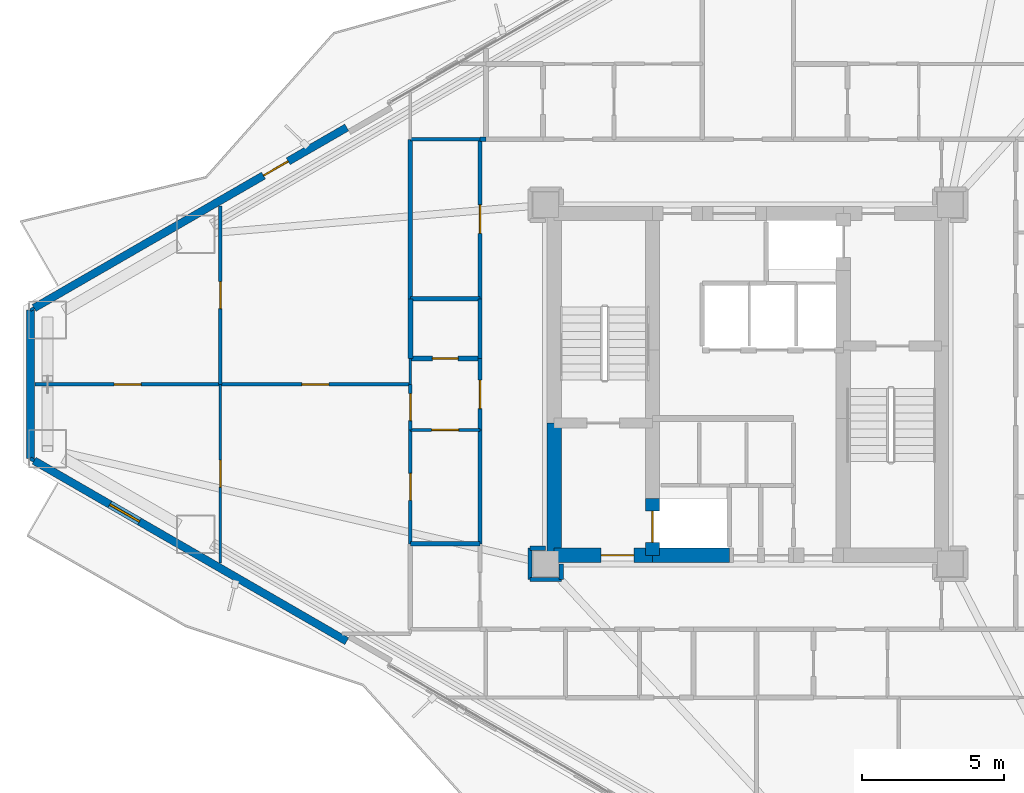
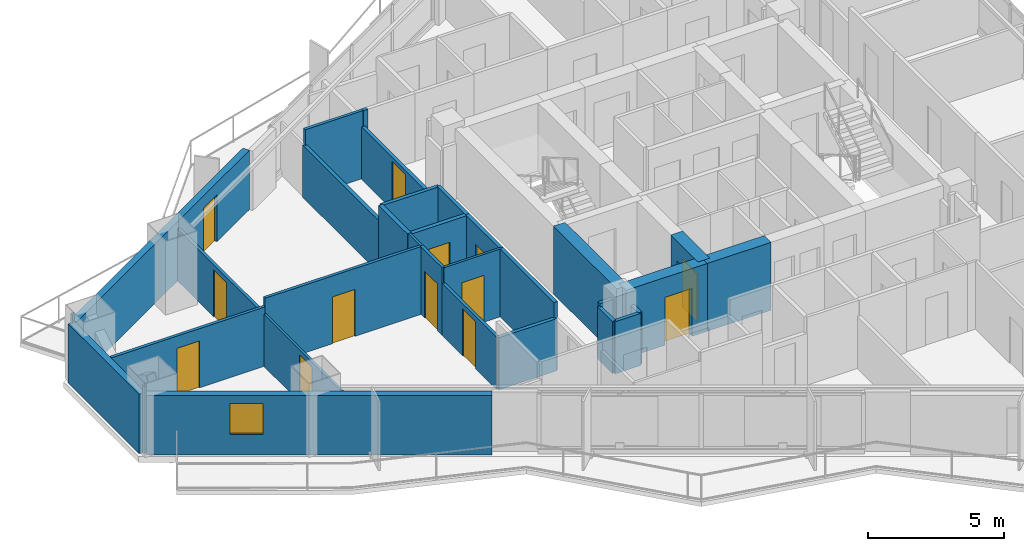
# One storey, part 13 of 19: 32 walls, 13 doors, 1 window, 14 openings.
"""IFC4 building model written with IfcOpenShell, lengths in metres."""

from ifc_helpers import new_model, si_unit, direction, frame, frame_2d, origin, place, context, subcontext, project, spatial, rectangle, extrude, material, layer, layer_set, type_object, element, fill, save


model = new_model("IFC4")

# Units and contexts
model_context = context("Model", 3, precision=1e-05, world=origin(), true_north=direction((0.0, 1.0)))
body_context = subcontext(model_context, "Body", "Model", "MODEL_VIEW")
ifc_project = project(units=[si_unit("LENGTHUNIT", "METRE"), si_unit("AREAUNIT", "SQUARE_METRE"), si_unit("VOLUMEUNIT", "CUBIC_METRE"), si_unit("PLANEANGLEUNIT", "RADIAN"), si_unit("MASSUNIT", "GRAM", prefix="KILO")], contexts=[model_context])

# Site, building, storey
site_placement = place(None, origin())
site = spatial("IfcSite", under=ifc_project, at=site_placement, CompositionType="ELEMENT")
building_placement = place(site_placement, origin())
building = spatial("IfcBuilding", under=site, at=building_placement, Name="Mersakhor Tower and Convention Hall", CompositionType="ELEMENT")
storey_placement = place(building_placement, frame((0.0, 0.0, 42.300048828125)))
storey = spatial("IfcBuildingStorey", under=building, at=storey_placement, Name="L11", CompositionType="ELEMENT", Elevation=42.300048828125)

# Wall
ifc_material_1 = material(Name="Precast concrete C45/55", Category="concrete")
ifc_layer_1 = layer(ifc_material_1, 0.27490234375)
ifc_layer_set_1 = layer_set([ifc_layer_1], Name="Precast concrete C45/55")
wall_type_1 = type_object("IfcWallType", Name="WL-EXT-275", PredefinedType="SOLIDWALL", material=ifc_layer_set_1)
wall_1_placement = place(storey_placement, frame((3.81298828125, 24.144287109375, 0.0), z_axis=(0.0, 0.0, 1.0), x_axis=(0.0, 1.0, 0.0)))
element("IfcWall", 1, at=wall_1_placement, inside=storey, type_object=wall_type_1, Name="L11 Chamfer Braced Spandrel Wall C3", PredefinedType="SOLIDWALL", context=body_context, shape_type="SweptSolid", body=[
    extrude(rectangle(XDim=5.21142578125, YDim=0.27490234375, at=frame_2d((2.605712890625, 0.0))), origin(), (0.0, 0.0, 1.0), 2.659912109375),
])

# Wall, opening, door
wall_2_placement = place(storey_placement, frame((3.943115234375, 29.4306640625, 0.0), z_axis=(0.0, 0.0, 1.0), x_axis=(0.866027105532, 0.499997052475, 0.0)))
wall_2 = element("IfcWall", 2, at=wall_2_placement, inside=storey, type_object=wall_type_1, Name="L11 Exterior Facade Wall F1-B1", PredefinedType="SOLIDWALL", context=body_context, shape_type="SweptSolid", body=[
    extrude(rectangle(XDim=12.6728515625, YDim=0.27490234375, at=frame_2d((6.33642578125, 0.0))), origin(), (0.0, 0.0, 1.0), 2.659912109375),
])
opening_1_placement = place(wall_2_placement, frame((9.298095703125, 0.0, 0.0)))
opening_1 = element("IfcOpeningElement", 3, at=opening_1_placement, cuts=wall_2, Name="Opening BD-01", PredefinedType="OPENING", context=body_context, shape_type="SweptSolid", body=[
    extrude(rectangle(XDim=1.0, YDim=2.10009765625, at=frame_2d((0.5, 1.050048828125))), frame((0.0, 0.1474609375, 0.0), z_axis=(0.0, -1.0, 0.0), x_axis=(1.0, 0.0, 0.0)), (0.0, 0.0, 1.0), 0.294921875),
])
ifc_material_2 = material(Name="Thermally broken dark aluminium and safety glass", Category="aluminium")
door_type_1 = type_object("IfcDoorType", Name="DR-BAL-100x210", OperationType="NOTDEFINED", PredefinedType="DOOR", material=ifc_material_2)
door_1_placement = place(opening_1_placement, origin())
door_1 = element("IfcDoor", 4, at=door_1_placement, inside=storey, type_object=door_type_1, Name="L11 Balcony Terrace Door F1-B1", OperationType="SINGLE_SWING_LEFT", OverallHeight=2.10009765625, OverallWidth=1.0, PredefinedType="DOOR", context=body_context, shape_type="SweptSolid", body=[
    extrude(rectangle(XDim=1.0, YDim=2.10009765625, at=frame_2d((0.5, 1.050048828125))), frame((0.0, 0.02490234375, 0.0), z_axis=(0.0, -1.0, 0.0), x_axis=(1.0, 0.0, 0.0)), (0.0, 0.0, 1.0), 0.050048828125),
])
fill(opening_1, door_1)

# Wall, opening, window
wall_3_placement = place(storey_placement, frame((14.918212890625, 17.73291015625, 0.0), z_axis=(0.0, 0.0, 1.0), x_axis=(-0.866027105532, 0.499997052475, 0.0)))
wall_3 = element("IfcWall", 5, at=wall_3_placement, inside=storey, type_object=wall_type_1, Name="L11 Exterior Facade Wall F3-B3", PredefinedType="SOLIDWALL", context=body_context, shape_type="SweptSolid", body=[
    extrude(rectangle(XDim=12.6728515625, YDim=0.27490234375, at=frame_2d((6.33642578125, 0.0))), origin(), (0.0, 0.0, 1.0), 2.659912109375),
])
opening_2_placement = place(wall_3_placement, frame((8.402099609375, 0.0, 0.89990234375)))
opening_2 = element("IfcOpeningElement", 6, at=opening_2_placement, cuts=wall_3, Name="Opening W-01", PredefinedType="OPENING", context=body_context, shape_type="SweptSolid", body=[
    extrude(rectangle(XDim=1.199951171875, YDim=1.39990234375, at=frame_2d((0.60009765625, 0.699951171875))), frame((0.0, 0.1474609375, 0.0), z_axis=(0.0, -1.0, 0.0), x_axis=(1.0, 0.0, 0.0)), (0.0, 0.0, 1.0), 0.294921875),
])
ifc_material_3 = material(Name="Dark solar low-E glazed aluminium window", Category="aluminium")
window_type = type_object("IfcWindowType", Name="WN-RES-120x150", PartitioningType="SINGLE_PANEL", PredefinedType="WINDOW", material=ifc_material_3)
window_placement = place(opening_2_placement, origin())
window = element("IfcWindow", 7, at=window_placement, inside=storey, type_object=window_type, Name="L11 Bedroom Facade Window F3-B3-1", OverallHeight=1.39990234375, OverallWidth=1.199951171875, PartitioningType="SINGLE_PANEL", PredefinedType="WINDOW", context=body_context, shape_type="SweptSolid", body=[
    extrude(rectangle(XDim=1.199951171875, YDim=1.39990234375, at=frame_2d((0.60009765625, 0.699951171875))), frame((0.0, 0.030029296875, 0.0), z_axis=(0.0, -1.0, 0.0), x_axis=(1.0, 0.0, 0.0)), (0.0, 0.0, 1.0), 0.06005859375),
])
fill(opening_2, window)

# Wall, opening, door
ifc_material_4 = material(Name="Moisture-resistant acoustic drywall studwork", Category="other")
ifc_layer_2 = layer(ifc_material_4, 0.175048828125)
ifc_layer_set_2 = layer_set([ifc_layer_2], Name="Moisture-resistant acoustic drywall studwork")
wall_type_2 = type_object("IfcWallType", Name="WL-PLM-175", PredefinedType="PLUMBINGWALL", material=ifc_layer_set_2)
wall_4_placement = place(storey_placement, frame((17.14990234375, 27.64990234375, 0.0), z_axis=(0.0, 0.0, 1.0), x_axis=(1.0, 0.0, 0.0)))
wall_4 = element("IfcWall", 8, at=wall_4_placement, inside=storey, type_object=wall_type_2, Name="L11 Interior Partition Wall P-077", PredefinedType="PLUMBINGWALL", context=body_context, shape_type="SweptSolid", body=[
    extrude(rectangle(XDim=2.4501953125, YDim=0.175048828125, at=frame_2d((1.22509765625, 0.0))), origin(), (0.0, 0.0, 1.0), 3.0400390625),
])
opening_3_placement = place(wall_4_placement, frame((0.77490234375, 0.0, 0.0)))
opening_3 = element("IfcOpeningElement", 9, at=opening_3_placement, cuts=wall_4, Name="Opening WD-01", PredefinedType="OPENING", context=body_context, shape_type="SweptSolid", body=[
    extrude(rectangle(XDim=0.89990234375, YDim=2.10009765625, at=frame_2d((0.449951171875, 1.050048828125))), frame((0.0, 0.097412109375, 0.0), z_axis=(0.0, -1.0, 0.0), x_axis=(1.0, 0.0, 0.0)), (0.0, 0.0, 1.0), 0.195068359375),
])
ifc_material_5 = material(Name="Solid-core hardwood leaf in painted steel frame", Category="steel")
door_type_2 = type_object("IfcDoorType", Name="DR-INT-WET-090x210", OperationType="NOTDEFINED", PredefinedType="DOOR", material=ifc_material_5)
door_2_placement = place(opening_3_placement, origin())
door_2 = element("IfcDoor", 10, at=door_2_placement, inside=storey, type_object=door_type_2, Name="L11 L11 Flat W5 Apartment Hall to L11 Flat W5 Bathroom Door", OperationType="SINGLE_SWING_LEFT", OverallHeight=2.10009765625, OverallWidth=0.89990234375, PredefinedType="DOOR", context=body_context, shape_type="SweptSolid", body=[
    extrude(rectangle(XDim=0.89990234375, YDim=2.10009765625, at=frame_2d((0.449951171875, 1.050048828125))), frame((0.0, 0.02490234375, 0.0), z_axis=(0.0, -1.0, 0.0), x_axis=(1.0, 0.0, 0.0)), (0.0, 0.0, 1.0), 0.050048828125),
])
fill(opening_3, door_2)

# Walls
wall_5_placement = place(storey_placement, frame((17.14990234375, 27.64990234375, 0.0), z_axis=(0.0, 0.0, 1.0), x_axis=(0.0, 1.0, 0.0)))
element("IfcWall", 11, at=wall_5_placement, inside=storey, type_object=wall_type_2, Name="L11 Interior Partition Wall P-095", PredefinedType="PLUMBINGWALL", context=body_context, shape_type="SweptSolid", body=[
    extrude(rectangle(XDim=2.10009765625, YDim=0.175048828125, at=frame_2d((1.050048828125, 0.0))), origin(), (0.0, 0.0, 1.0), 3.0400390625),
])
ifc_material_6 = material(Name="Lightweight gypsum partition", Category="other")
ifc_layer_3 = layer(ifc_material_6, 0.10009765625)
ifc_layer_set_3 = layer_set([ifc_layer_3], Name="Lightweight gypsum partition")
wall_type_3 = type_object("IfcWallType", Name="WL-PRT-100", PredefinedType="PARTITIONING", material=ifc_layer_set_3)
wall_6_placement = place(storey_placement, frame((17.14990234375, 26.75, 0.0), z_axis=(0.0, 0.0, 1.0), x_axis=(0.0, 1.0, 0.0)))
element("IfcWall", 12, at=wall_6_placement, inside=storey, type_object=wall_type_3, Name="L11 Interior Partition Wall P-076", PredefinedType="PARTITIONING", context=body_context, shape_type="SweptSolid", body=[
    extrude(rectangle(XDim=0.89990234375, YDim=0.10009765625, at=frame_2d((0.449951171875, 0.0))), origin(), (0.0, 0.0, 1.0), 3.0400390625),
])

# Wall, opening, door
wall_7_placement = place(storey_placement, frame((19.60009765625, 25.14990234375, 0.0), z_axis=(0.0, 0.0, 1.0), x_axis=(-1.0, 0.0, 0.0)))
wall_7 = element("IfcWall", 13, at=wall_7_placement, inside=storey, type_object=wall_type_3, Name="L11 Interior Partition Wall P-078", PredefinedType="PARTITIONING", context=body_context, shape_type="SweptSolid", body=[
    extrude(rectangle(XDim=2.4501953125, YDim=0.10009765625, at=frame_2d((1.22509765625, 0.0))), origin(), (0.0, 0.0, 1.0), 3.0400390625),
])
opening_4_placement = place(wall_7_placement, frame((0.75, 0.0, 0.0)))
opening_4 = element("IfcOpeningElement", 14, at=opening_4_placement, cuts=wall_7, Name="Opening RD-01", PredefinedType="OPENING", context=body_context, shape_type="SweptSolid", body=[
    extrude(rectangle(XDim=0.949951171875, YDim=2.10009765625, at=frame_2d((0.47509765625, 1.050048828125))), frame((0.0, 0.06005859375, 0.0), z_axis=(0.0, -1.0, 0.0), x_axis=(1.0, 0.0, 0.0)), (0.0, 0.0, 1.0), 0.1201171875),
])
ifc_material_7 = material(Name="Solid-core hardwood leaf in painted steel frame", Category="steel")
door_type_3 = type_object("IfcDoorType", Name="DR-INT-RM-095x210", OperationType="NOTDEFINED", PredefinedType="DOOR", material=ifc_material_7)
door_3_placement = place(opening_4_placement, origin())
door_3 = element("IfcDoor", 15, at=door_3_placement, inside=storey, type_object=door_type_3, Name="L11 L11 Flat W5 Apartment Hall to L11 Flat W5 Kitchen Door", OperationType="SINGLE_SWING_RIGHT", OverallHeight=2.10009765625, OverallWidth=0.949951171875, PredefinedType="DOOR", context=body_context, shape_type="SweptSolid", body=[
    extrude(rectangle(XDim=0.949951171875, YDim=2.10009765625, at=frame_2d((0.47509765625, 1.050048828125))), frame((0.0, 0.02490234375, 0.0), z_axis=(0.0, -1.0, 0.0), x_axis=(1.0, 0.0, 0.0)), (0.0, 0.0, 1.0), 0.050048828125),
])
fill(opening_4, door_3)

# Wall
wall_8_placement = place(storey_placement, frame((3.81298828125, 29.35595703125, 0.0), z_axis=(0.0, 0.0, 1.0), x_axis=(0.866131372301, 0.499816412211, 0.0)))
element("IfcWall", 16, at=wall_8_placement, inside=storey, type_object=wall_type_3, Name="L11 Interior Partition Wall P-124", PredefinedType="PARTITIONING", context=body_context, shape_type="SweptSolid", body=[
    extrude(rectangle(XDim=0.14990234375, YDim=0.10009765625, at=frame_2d((0.074951171875, 0.0))), origin(), (0.0, 0.0, 1.0), 3.0400390625),
])

# Wall, opening, door
wall_9_placement = place(storey_placement, frame((10.47998046875, 26.75, 0.0), z_axis=(0.0, 0.0, 1.0), x_axis=(0.0, -1.0, 0.0)))
wall_9 = element("IfcWall", 17, at=wall_9_placement, inside=storey, type_object=wall_type_3, Name="L11 Interior Partition Wall P-128", PredefinedType="PARTITIONING", context=body_context, shape_type="SweptSolid", body=[
    extrude(rectangle(XDim=6.268310546875, YDim=0.10009765625, at=frame_2d((3.13427734375, 0.0))), origin(), (0.0, 0.0, 1.0), 2.33740234375),
])
opening_5_placement = place(wall_9_placement, frame((2.6591796875, 0.0, 0.0)))
opening_5 = element("IfcOpeningElement", 18, at=opening_5_placement, cuts=wall_9, Name="Opening RD-01", PredefinedType="OPENING", context=body_context, shape_type="SweptSolid", body=[
    extrude(rectangle(XDim=0.949951171875, YDim=2.10009765625, at=frame_2d((0.47509765625, 1.050048828125))), frame((0.0, 0.06005859375, 0.0), z_axis=(0.0, -1.0, 0.0), x_axis=(1.0, 0.0, 0.0)), (0.0, 0.0, 1.0), 0.1201171875),
])
door_4_placement = place(opening_5_placement, origin())
door_4 = element("IfcDoor", 19, at=door_4_placement, inside=storey, type_object=door_type_3, Name="L11 L11 Flat W5 Master Bedroom to L11 Flat W5 Dining Room Door", OperationType="SINGLE_SWING_RIGHT", OverallHeight=2.10009765625, OverallWidth=0.949951171875, PredefinedType="DOOR", context=body_context, shape_type="SweptSolid", body=[
    extrude(rectangle(XDim=0.949951171875, YDim=2.10009765625, at=frame_2d((0.47509765625, 1.050048828125))), frame((0.0, 0.02490234375, 0.0), z_axis=(0.0, -1.0, 0.0), x_axis=(1.0, 0.0, 0.0)), (0.0, 0.0, 1.0), 0.050048828125),
])
fill(opening_5, door_4)

ifc_material_8 = material(Name="Gypsum board acoustic partition", Category="other")
ifc_layer_4 = layer(ifc_material_8, 0.125)
ifc_layer_set_4 = layer_set([ifc_layer_4], Name="Gypsum board acoustic partition")
wall_type_4 = type_object("IfcWallType", Name="WL-PRT-125", PredefinedType="PARTITIONING", material=ifc_layer_set_4)
wall_10_placement = place(storey_placement, frame((17.14990234375, 25.14990234375, 0.0), z_axis=(0.0, 0.0, 1.0), x_axis=(0.0, 1.0, 0.0)))
wall_10 = element("IfcWall", 20, at=wall_10_placement, inside=storey, type_object=wall_type_4, Name="L11 Interior Partition Wall P-075", PredefinedType="PARTITIONING", context=body_context, shape_type="SweptSolid", body=[
    extrude(rectangle(XDim=1.60009765625, YDim=0.125, at=frame_2d((0.800048828125, 0.0))), origin(), (0.0, 0.0, 1.0), 3.0400390625),
])
opening_6_placement = place(wall_10_placement, frame((0.324951171875, 0.0, 0.0)))
opening_6 = element("IfcOpeningElement", 21, at=opening_6_placement, cuts=wall_10, Name="Opening RD-01", PredefinedType="OPENING", context=body_context, shape_type="SweptSolid", body=[
    extrude(rectangle(XDim=0.949951171875, YDim=2.10009765625, at=frame_2d((0.47509765625, 1.050048828125))), frame((0.0, 0.072509765625, 0.0), z_axis=(0.0, -1.0, 0.0), x_axis=(1.0, 0.0, 0.0)), (0.0, 0.0, 1.0), 0.14501953125),
])
door_5_placement = place(opening_6_placement, origin())
door_5 = element("IfcDoor", 22, at=door_5_placement, inside=storey, type_object=door_type_3, Name="L11 L11 Flat W5 Apartment Hall to L11 Flat W5 Dining Room Door", OperationType="SINGLE_SWING_LEFT", OverallHeight=2.10009765625, OverallWidth=0.949951171875, PredefinedType="DOOR", context=body_context, shape_type="SweptSolid", body=[
    extrude(rectangle(XDim=0.949951171875, YDim=2.10009765625, at=frame_2d((0.47509765625, 1.050048828125))), frame((0.0, 0.02490234375, 0.0), z_axis=(0.0, -1.0, 0.0), x_axis=(1.0, 0.0, 0.0)), (0.0, 0.0, 1.0), 0.050048828125),
])
fill(opening_6, door_5)

wall_11_placement = place(storey_placement, frame((17.14990234375, 21.14990234375, 0.0), z_axis=(0.0, 0.0, 1.0), x_axis=(0.0, 1.0, 0.0)))
wall_11 = element("IfcWall", 23, at=wall_11_placement, inside=storey, type_object=wall_type_4, Name="L11 Interior Partition Wall P-097", PredefinedType="PARTITIONING", context=body_context, shape_type="SweptSolid", body=[
    extrude(rectangle(XDim=4.0, YDim=0.125, at=frame_2d((2.0, 0.0))), origin(), (0.0, 0.0, 1.0), 2.33740234375),
])
opening_7_placement = place(wall_11_placement, frame((1.52490234375, 0.0, 0.0)))
opening_7 = element("IfcOpeningElement", 24, at=opening_7_placement, cuts=wall_11, Name="Opening RD-01", PredefinedType="OPENING", context=body_context, shape_type="SweptSolid", body=[
    extrude(rectangle(XDim=0.949951171875, YDim=2.10009765625, at=frame_2d((0.47509765625, 1.050048828125))), frame((0.0, 0.072509765625, 0.0), z_axis=(0.0, -1.0, 0.0), x_axis=(1.0, 0.0, 0.0)), (0.0, 0.0, 1.0), 0.14501953125),
])
door_6_placement = place(opening_7_placement, origin())
door_6 = element("IfcDoor", 25, at=door_6_placement, inside=storey, type_object=door_type_3, Name="L11 L11 Flat W5 Kitchen to L11 Flat W5 Dining Room Door", OperationType="SINGLE_SWING_LEFT", OverallHeight=2.10009765625, OverallWidth=0.949951171875, PredefinedType="DOOR", context=body_context, shape_type="SweptSolid", body=[
    extrude(rectangle(XDim=0.949951171875, YDim=2.10009765625, at=frame_2d((0.47509765625, 1.050048828125))), frame((0.0, 0.02490234375, 0.0), z_axis=(0.0, -1.0, 0.0), x_axis=(1.0, 0.0, 0.0)), (0.0, 0.0, 1.0), 0.050048828125),
])
fill(opening_7, door_6)

# Wall
wall_12_placement = place(storey_placement, frame((17.14990234375, 35.35009765625, 0.0), z_axis=(0.0, 0.0, 1.0), x_axis=(1.0, 0.0, 0.0)))
element("IfcWall", 26, at=wall_12_placement, inside=storey, type_object=wall_type_4, Name="L11 Interior Partition Wall P-103", PredefinedType="PARTITIONING", context=body_context, shape_type="SweptSolid", body=[
    extrude(rectangle(XDim=2.4501953125, YDim=0.125, at=frame_2d((1.22509765625, 0.0))), origin(), (0.0, 0.0, 1.0), 3.0400390625),
])

# Wall, opening, door
wall_13_placement = place(storey_placement, frame((10.47998046875, 26.75, 0.0), z_axis=(0.0, 0.0, 1.0), x_axis=(-1.0, 0.0, 0.0)))
wall_13 = element("IfcWall", 27, at=wall_13_placement, inside=storey, type_object=wall_type_4, Name="L11 Interior Partition Wall P-123", PredefinedType="PARTITIONING", context=body_context, shape_type="SweptSolid", body=[
    extrude(rectangle(XDim=6.50537109375, YDim=0.125, at=frame_2d((3.252685546875, 0.0))), origin(), (0.0, 0.0, 1.0), 2.650390625),
])
opening_8_placement = place(wall_13_placement, frame((2.777587890625, 0.0, 0.0)))
opening_8 = element("IfcOpeningElement", 28, at=opening_8_placement, cuts=wall_13, Name="Opening RD-01", PredefinedType="OPENING", context=body_context, shape_type="SweptSolid", body=[
    extrude(rectangle(XDim=0.949951171875, YDim=2.10009765625, at=frame_2d((0.47509765625, 1.050048828125))), frame((0.0, 0.072509765625, 0.0), z_axis=(0.0, -1.0, 0.0), x_axis=(1.0, 0.0, 0.0)), (0.0, 0.0, 1.0), 0.14501953125),
])
door_7_placement = place(opening_8_placement, origin())
door_7 = element("IfcDoor", 29, at=door_7_placement, inside=storey, type_object=door_type_3, Name="L11 L11 Flat W5 Living and Dining Room to L11 Flat W5 Master Bedroom Door", OperationType="SINGLE_SWING_RIGHT", OverallHeight=2.10009765625, OverallWidth=0.949951171875, PredefinedType="DOOR", context=body_context, shape_type="SweptSolid", body=[
    extrude(rectangle(XDim=0.949951171875, YDim=2.10009765625, at=frame_2d((0.47509765625, 1.050048828125))), frame((0.0, 0.02490234375, 0.0), z_axis=(0.0, -1.0, 0.0), x_axis=(1.0, 0.0, 0.0)), (0.0, 0.0, 1.0), 0.050048828125),
])
fill(opening_8, door_7)

wall_14_placement = place(storey_placement, frame((10.47998046875, 33.018310546875, 0.0), z_axis=(0.0, 0.0, 1.0), x_axis=(0.0, -1.0, 0.0)))
wall_14 = element("IfcWall", 30, at=wall_14_placement, inside=storey, type_object=wall_type_4, Name="L11 Interior Partition Wall P-125", PredefinedType="PARTITIONING", context=body_context, shape_type="SweptSolid", body=[
    extrude(rectangle(XDim=6.268310546875, YDim=0.125, at=frame_2d((3.13427734375, 0.0))), origin(), (0.0, 0.0, 1.0), 2.33740234375),
])
opening_9_placement = place(wall_14_placement, frame((2.6591796875, 0.0, 0.0)))
opening_9 = element("IfcOpeningElement", 31, at=opening_9_placement, cuts=wall_14, Name="Opening RD-01", PredefinedType="OPENING", context=body_context, shape_type="SweptSolid", body=[
    extrude(rectangle(XDim=0.949951171875, YDim=2.10009765625, at=frame_2d((0.47509765625, 1.050048828125))), frame((0.0, 0.072509765625, 0.0), z_axis=(0.0, -1.0, 0.0), x_axis=(1.0, 0.0, 0.0)), (0.0, 0.0, 1.0), 0.14501953125),
])
door_8_placement = place(opening_9_placement, origin())
door_8 = element("IfcDoor", 32, at=door_8_placement, inside=storey, type_object=door_type_3, Name="L11 L11 Flat W5 Living and Dining Room to L11 Flat W5 Dining Room Door", OperationType="SINGLE_SWING_LEFT", OverallHeight=2.10009765625, OverallWidth=0.949951171875, PredefinedType="DOOR", context=body_context, shape_type="SweptSolid", body=[
    extrude(rectangle(XDim=0.949951171875, YDim=2.10009765625, at=frame_2d((0.47509765625, 1.050048828125))), frame((0.0, 0.02490234375, 0.0), z_axis=(0.0, -1.0, 0.0), x_axis=(1.0, 0.0, 0.0)), (0.0, 0.0, 1.0), 0.050048828125),
])
fill(opening_9, door_8)

wall_15_placement = place(storey_placement, frame((17.14990234375, 26.75, 0.0), z_axis=(0.0, 0.0, 1.0), x_axis=(-1.0, 0.0, 0.0)))
wall_15 = element("IfcWall", 33, at=wall_15_placement, inside=storey, type_object=wall_type_4, Name="L11 Interior Partition Wall P-127", PredefinedType="PARTITIONING", context=body_context, shape_type="SweptSolid", body=[
    extrude(rectangle(XDim=6.669921875, YDim=0.125, at=frame_2d((3.3349609375, 0.0))), origin(), (0.0, 0.0, 1.0), 3.0400390625),
])
opening_10_placement = place(wall_15_placement, frame((2.860107421875, 0.0, 0.0)))
opening_10 = element("IfcOpeningElement", 34, at=opening_10_placement, cuts=wall_15, Name="Opening RD-01", PredefinedType="OPENING", context=body_context, shape_type="SweptSolid", body=[
    extrude(rectangle(XDim=0.949951171875, YDim=2.10009765625, at=frame_2d((0.47509765625, 1.050048828125))), frame((0.0, 0.072509765625, 0.0), z_axis=(0.0, -1.0, 0.0), x_axis=(1.0, 0.0, 0.0)), (0.0, 0.0, 1.0), 0.14501953125),
])
door_9_placement = place(opening_10_placement, origin())
door_9 = element("IfcDoor", 35, at=door_9_placement, inside=storey, type_object=door_type_3, Name="L11 L11 Flat W5 Dining Room to L11 Flat W5 Dining Room Door", OperationType="SINGLE_SWING_LEFT", OverallHeight=2.10009765625, OverallWidth=0.949951171875, PredefinedType="DOOR", context=body_context, shape_type="SweptSolid", body=[
    extrude(rectangle(XDim=0.949951171875, YDim=2.10009765625, at=frame_2d((0.47509765625, 1.050048828125))), frame((0.0, 0.02490234375, 0.0), z_axis=(0.0, -1.0, 0.0), x_axis=(1.0, 0.0, 0.0)), (0.0, 0.0, 1.0), 0.050048828125),
])
fill(opening_10, door_9)

# Walls
wall_16_placement = place(storey_placement, frame((3.94287109375, 24.069091796875, 0.0), z_axis=(0.0, 0.0, 1.0), x_axis=(-0.866131372301, 0.499816412211, 0.0)))
element("IfcWall", 36, at=wall_16_placement, inside=storey, type_object=wall_type_4, Name="L11 Interior Partition Wall P-129", PredefinedType="PARTITIONING", context=body_context, shape_type="SweptSolid", body=[
    extrude(rectangle(XDim=0.14990234375, YDim=0.125, at=frame_2d((0.074951171875, 0.0))), origin(), (0.0, 0.0, 1.0), 3.0400390625),
])
ifc_material_9 = material(Name="Fire-rated gypsum board stud partition", Category="other")
ifc_layer_5 = layer(ifc_material_9, 0.14990234375)
ifc_layer_set_5 = layer_set([ifc_layer_5], Name="Fire-rated gypsum board stud partition")
wall_type_5 = type_object("IfcWallType", Name="WL-PRT-150", PredefinedType="PARTITIONING", material=ifc_layer_set_5)
wall_17_placement = place(storey_placement, frame((21.35009765625, 19.89990234375, 0.0), z_axis=(0.0, 0.0, 1.0), x_axis=(1.0, 0.0, 0.0)))
element("IfcWall", 37, at=wall_17_placement, inside=storey, type_object=wall_type_5, Name="L11 Interior Partition Wall P-019", PredefinedType="PARTITIONING", context=body_context, shape_type="SweptSolid", body=[
    extrude(rectangle(XDim=1.099853515625, YDim=0.14990234375, at=frame_2d((0.5498046875, 0.0))), origin(), (0.0, 0.0, 1.0), 2.33740234375),
])
wall_18_placement = place(storey_placement, frame((22.449951171875, 19.89990234375, 0.0), z_axis=(0.0, 0.0, 1.0), x_axis=(0.0, 1.0, 0.0)))
element("IfcWall", 38, at=wall_18_placement, inside=storey, type_object=wall_type_5, Name="L11 Interior Partition Wall P-020", PredefinedType="PARTITIONING", context=body_context, shape_type="SweptSolid", body=[
    extrude(rectangle(XDim=0.550048828125, YDim=0.14990234375, at=frame_2d((0.27490234375, 0.0))), origin(), (0.0, 0.0, 1.0), 2.33740234375),
])
wall_19_placement = place(storey_placement, frame((19.60009765625, 21.14990234375, 0.0), z_axis=(0.0, 0.0, 1.0), x_axis=(0.0, 1.0, 0.0)))
element("IfcWall", 39, at=wall_19_placement, inside=storey, type_object=wall_type_5, Name="L11 Interior Partition Wall P-033", PredefinedType="PARTITIONING", context=body_context, shape_type="SweptSolid", body=[
    extrude(rectangle(XDim=4.0, YDim=0.14990234375, at=frame_2d((2.0, 0.0))), origin(), (0.0, 0.0, 1.0), 3.0400390625),
])

# Wall, opening, door
wall_20_placement = place(storey_placement, frame((19.60009765625, 25.14990234375, 0.0), z_axis=(0.0, 0.0, 1.0), x_axis=(0.0, 1.0, 0.0)))
wall_20 = element("IfcWall", 40, at=wall_20_placement, inside=storey, type_object=wall_type_5, Name="L11 Interior Partition Wall P-034", PredefinedType="PARTITIONING", context=body_context, shape_type="SweptSolid", body=[
    extrude(rectangle(XDim=2.5, YDim=0.14990234375, at=frame_2d((1.25, 0.0))), origin(), (0.0, 0.0, 1.0), 3.0400390625),
])
opening_11_placement = place(wall_20_placement, frame((0.75, 0.0, 0.0)))
opening_11 = element("IfcOpeningElement", 41, at=opening_11_placement, cuts=wall_20, Name="Opening FD-01", PredefinedType="OPENING", context=body_context, shape_type="SweptSolid", body=[
    extrude(rectangle(XDim=1.0, YDim=2.14990234375, at=frame_2d((0.5, 1.074951171875))), frame((0.0, 0.0849609375, 0.0), z_axis=(0.0, -1.0, 0.0), x_axis=(1.0, 0.0, 0.0)), (0.0, 0.0, 1.0), 0.169921875),
])
ifc_material_10 = material(Name="Fire-rated hardwood leaf and painted steel frame", Category="steel")
door_type_4 = type_object("IfcDoorType", Name="DR-INT-FLT-100x215", OperationType="NOTDEFINED", PredefinedType="DOOR", material=ifc_material_10)
door_10_placement = place(opening_11_placement, origin())
door_10 = element("IfcDoor", 42, at=door_10_placement, inside=storey, type_object=door_type_4, Name="L11 Apartment Entrance Door (Residential Ring Corridor to L11 Flat W5 Apartment Hall)", OperationType="SINGLE_SWING_LEFT", OverallHeight=2.14990234375, OverallWidth=1.0, PredefinedType="DOOR", context=body_context, shape_type="SweptSolid", body=[
    extrude(rectangle(XDim=1.0, YDim=2.14990234375, at=frame_2d((0.5, 1.074951171875))), frame((0.0, 0.02490234375, 0.0), z_axis=(0.0, -1.0, 0.0), x_axis=(1.0, 0.0, 0.0)), (0.0, 0.0, 1.0), 0.050048828125),
])
fill(opening_11, door_10)

# Wall
wall_21_placement = place(storey_placement, frame((19.60009765625, 27.64990234375, 0.0), z_axis=(0.0, 0.0, 1.0), x_axis=(0.0, 1.0, 0.0)))
element("IfcWall", 43, at=wall_21_placement, inside=storey, type_object=wall_type_5, Name="L11 Interior Partition Wall P-035", PredefinedType="PARTITIONING", context=body_context, shape_type="SweptSolid", body=[
    extrude(rectangle(XDim=2.10009765625, YDim=0.14990234375, at=frame_2d((1.050048828125, 0.0))), origin(), (0.0, 0.0, 1.0), 3.0400390625),
])

# Wall, opening, door
wall_22_placement = place(storey_placement, frame((19.60009765625, 29.75, 0.0), z_axis=(0.0, 0.0, 1.0), x_axis=(0.0, 1.0, 0.0)))
wall_22 = element("IfcWall", 44, at=wall_22_placement, inside=storey, type_object=wall_type_5, Name="L11 Interior Partition Wall P-036", PredefinedType="PARTITIONING", context=body_context, shape_type="SweptSolid", body=[
    extrude(rectangle(XDim=5.60009765625, YDim=0.14990234375, at=frame_2d((2.800048828125, 0.0))), origin(), (0.0, 0.0, 1.0), 2.33740234375),
])
opening_12_placement = place(wall_22_placement, frame((2.300048828125, 0.0, 0.0)))
opening_12 = element("IfcOpeningElement", 45, at=opening_12_placement, cuts=wall_22, Name="Opening FD-01", PredefinedType="OPENING", context=body_context, shape_type="SweptSolid", body=[
    extrude(rectangle(XDim=1.0, YDim=2.14990234375, at=frame_2d((0.5, 1.074951171875))), frame((0.0, 0.0849609375, 0.0), z_axis=(0.0, -1.0, 0.0), x_axis=(1.0, 0.0, 0.0)), (0.0, 0.0, 1.0), 0.169921875),
])
door_11_placement = place(opening_12_placement, origin())
door_11 = element("IfcDoor", 46, at=door_11_placement, inside=storey, type_object=door_type_4, Name="L11 Residential Ring Corridor to L11 West Wing Shared Study Room Door", OperationType="SINGLE_SWING_RIGHT", OverallHeight=2.14990234375, OverallWidth=1.0, PredefinedType="DOOR", context=body_context, shape_type="SweptSolid", body=[
    extrude(rectangle(XDim=1.0, YDim=2.14990234375, at=frame_2d((0.5, 1.074951171875))), frame((0.0, 0.02490234375, 0.0), z_axis=(0.0, -1.0, 0.0), x_axis=(1.0, 0.0, 0.0)), (0.0, 0.0, 1.0), 0.050048828125),
])
fill(opening_12, door_11)

# Walls
wall_23_placement = place(storey_placement, frame((19.60009765625, 35.35009765625, 0.0), z_axis=(0.0, 0.0, 1.0), x_axis=(1.0, 0.0, 0.0)))
element("IfcWall", 47, at=wall_23_placement, inside=storey, type_object=wall_type_5, Name="L11 Interior Partition Wall P-037", PredefinedType="PARTITIONING", context=body_context, shape_type="SweptSolid", body=[
    extrude(rectangle(XDim=0.199951171875, YDim=0.14990234375, at=frame_2d((0.10009765625, 0.0))), origin(), (0.0, 0.0, 1.0), 3.0400390625),
])
wall_24_placement = place(storey_placement, frame((21.89990234375, 21.0, 0.0), z_axis=(0.0, 0.0, 1.0), x_axis=(-1.0, 0.0, 0.0)))
element("IfcWall", 48, at=wall_24_placement, inside=storey, type_object=wall_type_5, Name="L11 Interior Partition Wall P-052", PredefinedType="PARTITIONING", context=body_context, shape_type="SweptSolid", body=[
    extrude(rectangle(XDim=0.5498046875, YDim=0.14990234375, at=frame_2d((0.27490234375, 0.0))), origin(), (0.0, 0.0, 1.0), 2.48828125),
])
wall_25_placement = place(storey_placement, frame((21.35009765625, 21.0, 0.0), z_axis=(0.0, 0.0, 1.0), x_axis=(0.0, -1.0, 0.0)))
element("IfcWall", 49, at=wall_25_placement, inside=storey, type_object=wall_type_5, Name="L11 Interior Partition Wall P-053", PredefinedType="PARTITIONING", context=body_context, shape_type="SweptSolid", body=[
    extrude(rectangle(XDim=1.10009765625, YDim=0.14990234375, at=frame_2d((0.550048828125, 0.0))), origin(), (0.0, 0.0, 1.0), 2.33740234375),
])
wall_26_placement = place(storey_placement, frame((17.14990234375, 29.75, 0.0), z_axis=(0.0, 0.0, 1.0), x_axis=(1.0, 0.0, 0.0)))
element("IfcWall", 50, at=wall_26_placement, inside=storey, type_object=wall_type_5, Name="L11 Interior Partition Wall P-096", PredefinedType="PARTITIONING", context=body_context, shape_type="SweptSolid", body=[
    extrude(rectangle(XDim=2.4501953125, YDim=0.14990234375, at=frame_2d((1.22509765625, 0.0))), origin(), (0.0, 0.0, 1.0), 3.0400390625),
])
wall_27_placement = place(storey_placement, frame((19.60009765625, 21.14990234375, 0.0), z_axis=(0.0, 0.0, 1.0), x_axis=(-1.0, 0.0, 0.0)))
element("IfcWall", 51, at=wall_27_placement, inside=storey, type_object=wall_type_5, Name="L11 Interior Partition Wall P-098", PredefinedType="PARTITIONING", context=body_context, shape_type="SweptSolid", body=[
    extrude(rectangle(XDim=2.4501953125, YDim=0.14990234375, at=frame_2d((1.22509765625, 0.0))), origin(), (0.0, 0.0, 1.0), 2.33740234375),
])
wall_28_placement = place(storey_placement, frame((17.14990234375, 29.75, 0.0), z_axis=(0.0, 0.0, 1.0), x_axis=(0.0, 1.0, 0.0)))
element("IfcWall", 52, at=wall_28_placement, inside=storey, type_object=wall_type_5, Name="L11 Interior Partition Wall P-102", PredefinedType="PARTITIONING", context=body_context, shape_type="SweptSolid", body=[
    extrude(rectangle(XDim=5.60009765625, YDim=0.14990234375, at=frame_2d((2.800048828125, 0.0))), origin(), (0.0, 0.0, 1.0), 2.33740234375),
])
ifc_material_11 = material(Name="Concrete C70/85", Category="concrete")
ifc_layer_6 = layer(ifc_material_11, 0.5)
ifc_layer_set_6 = layer_set([ifc_layer_6], Name="Concrete C70/85")
wall_type_6 = type_object("IfcWallType", Name="WL-SHR-500", PredefinedType="SHEAR", material=ifc_layer_set_6)
wall_29_placement = place(storey_placement, frame((22.199951171875, 20.75, 0.0), z_axis=(0.0, 0.0, 1.0), x_axis=(0.0, 1.0, 0.0)))
element("IfcWall", 53, at=wall_29_placement, inside=storey, type_object=wall_type_6, Name="L11 Core Wall CW-W1", PredefinedType="SHEAR", context=body_context, shape_type="SweptSolid", body=[
    extrude(rectangle(XDim=4.64990234375, YDim=0.5, at=frame_2d((2.324951171875, 0.0))), origin(), (0.0, 0.0, 1.0), 3.0400390625),
])
wall_30_placement = place(storey_placement, frame((28.35009765625, 20.75, 0.0), z_axis=(0.0, 0.0, 1.0), x_axis=(-1.0, 0.0, 0.0)))
element("IfcWall", 54, at=wall_30_placement, inside=storey, type_object=wall_type_6, Name="L11 Core Wall CW-S3", PredefinedType="SHEAR", context=body_context, shape_type="SweptSolid", body=[
    extrude(rectangle(XDim=2.7001953125, YDim=0.5, at=frame_2d((1.35009765625, 0.0))), origin(), (0.0, 0.0, 1.0), 3.0400390625),
])

# Wall, opening, door
wall_31_placement = place(storey_placement, frame((25.64990234375, 20.75, 0.0), z_axis=(0.0, 0.0, 1.0), x_axis=(-1.0, 0.0, 0.0)))
wall_31 = element("IfcWall", 55, at=wall_31_placement, inside=storey, type_object=wall_type_6, Name="L11 Core Wall CW-S4", PredefinedType="SHEAR", context=body_context, shape_type="SweptSolid", body=[
    extrude(rectangle(XDim=3.449951171875, YDim=0.5, at=frame_2d((1.72509765625, 0.0))), origin(), (0.0, 0.0, 1.0), 3.0400390625),
])
opening_13_placement = place(wall_31_placement, frame((0.64990234375, 0.0, 0.0)))
opening_13 = element("IfcOpeningElement", 56, at=opening_13_placement, cuts=wall_31, Name="Opening SD-01", PredefinedType="OPENING", context=body_context, shape_type="SweptSolid", body=[
    extrude(rectangle(XDim=1.14990234375, YDim=2.14990234375, at=frame_2d((0.574951171875, 1.074951171875))), frame((0.0, 0.260009765625, 0.0), z_axis=(0.0, -1.0, 0.0), x_axis=(1.0, 0.0, 0.0)), (0.0, 0.0, 1.0), 0.52001953125),
])
ifc_material_12 = material(Name="Fire-rated hardwood leaf and painted steel frame", Category="steel")
door_type_5 = type_object("IfcDoorType", Name="DR-INT-STAIR-115x215", OperationType="NOTDEFINED", PredefinedType="DOOR", material=ifc_material_12)
door_12_placement = place(opening_13_placement, origin())
door_12 = element("IfcDoor", 57, at=door_12_placement, inside=storey, type_object=door_type_5, Name="L11 Firefighting Lobby West Fire Door", OperationType="SINGLE_SWING_LEFT", OverallHeight=2.14990234375, OverallWidth=1.14990234375, PredefinedType="DOOR", context=body_context, shape_type="SweptSolid", body=[
    extrude(rectangle(XDim=1.14990234375, YDim=2.14990234375, at=frame_2d((0.574951171875, 1.074951171875))), frame((0.0, 0.02490234375, 0.0), z_axis=(0.0, -1.0, 0.0), x_axis=(1.0, 0.0, 0.0)), (0.0, 0.0, 1.0), 0.050048828125),
])
fill(opening_13, door_12)

wall_32_placement = place(storey_placement, frame((25.64990234375, 20.75, 0.0), z_axis=(0.0, 0.0, 1.0), x_axis=(0.0, 1.0, 0.0)))
wall_32 = element("IfcWall", 58, at=wall_32_placement, inside=storey, type_object=wall_type_6, Name="L11 Core Wall CS-W-FFL", PredefinedType="SHEAR", context=body_context, shape_type="SweptSolid", body=[
    extrude(rectangle(XDim=2.0, YDim=0.5, at=frame_2d((1.0, 0.0))), origin(), (0.0, 0.0, 1.0), 3.0400390625),
])
opening_14_placement = place(wall_32_placement, frame((0.449951171875, 0.0, 0.0)))
opening_14 = element("IfcOpeningElement", 59, at=opening_14_placement, cuts=wall_32, Name="Opening LD-FFL1", PredefinedType="OPENING", context=body_context, shape_type="SweptSolid", body=[
    extrude(rectangle(XDim=1.10009765625, YDim=2.14990234375, at=frame_2d((0.550048828125, 1.074951171875))), frame((0.0, 0.260009765625, 0.0), z_axis=(0.0, -1.0, 0.0), x_axis=(1.0, 0.0, 0.0)), (0.0, 0.0, 1.0), 0.52001953125),
])
ifc_material_13 = material(Name="Fire-rated brushed stainless steel sliding landing door", Category="steel")
door_type_6 = type_object("IfcDoorType", Name="DR-LIFT-SLD-110x215", OperationType="NOTDEFINED", PredefinedType="DOOR", material=ifc_material_13)
door_13_placement = place(opening_14_placement, origin())
door_13 = element("IfcDoor", 60, at=door_13_placement, inside=storey, type_object=door_type_6, Name="L11 Firefighting Lift Landing Door LD-FFL1", OperationType="SLIDING_TO_LEFT", OverallHeight=2.14990234375, OverallWidth=1.10009765625, PredefinedType="DOOR", context=body_context, shape_type="SweptSolid", body=[
    extrude(rectangle(XDim=1.10009765625, YDim=2.14990234375, at=frame_2d((0.550048828125, 1.074951171875))), frame((0.0, 0.02490234375, 0.0), z_axis=(0.0, -1.0, 0.0), x_axis=(1.0, 0.0, 0.0)), (0.0, 0.0, 1.0), 0.050048828125),
])
fill(opening_14, door_13)

save(model, "model.ifc")
